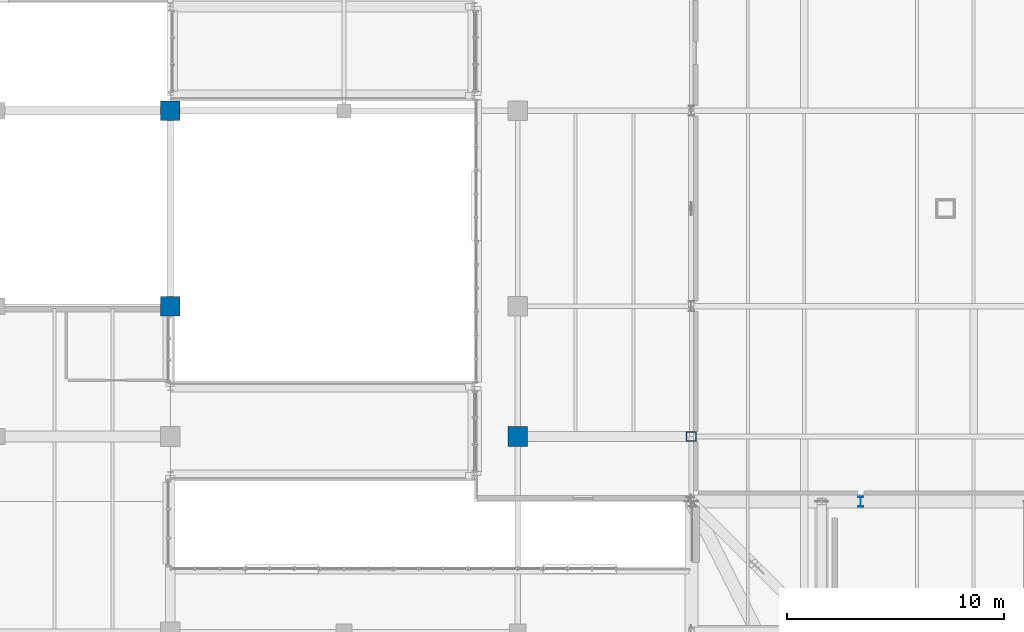
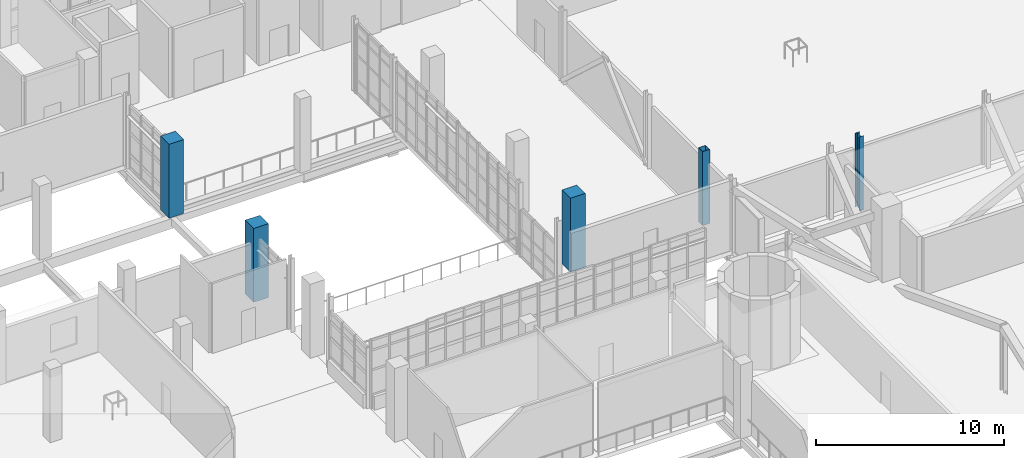
# One storey, part 4 of 127: 5 columns.
"""IFC4 building model written with IfcOpenShell, lengths in metres."""

from ifc_helpers import new_model, si_unit, derived_unit, direction, frame, origin, origin_2d, place, context, subcontext, project, spatial, rectangle, hollow_rectangle, i_section, extrude, material, material_profile, profile_set, type_object, element, save


model = new_model("IFC4")

# Units and contexts
model_context = context("Model", 3, precision=1e-05, world=origin(), true_north=direction((0.0, 1.0)))
body_context = subcontext(model_context, "Body", "Model", "MODEL_VIEW")
ifc_project = project(units=[si_unit("LENGTHUNIT", "METRE"), si_unit("AREAUNIT", "SQUARE_METRE"), si_unit("VOLUMEUNIT", "CUBIC_METRE"), si_unit("PLANEANGLEUNIT", "RADIAN"), si_unit("MASSUNIT", "GRAM", prefix="KILO"), derived_unit("THERMALTRANSMITTANCEUNIT", [(si_unit("POWERUNIT", "WATT"), 1), (si_unit("LENGTHUNIT", "METRE"), -2), (si_unit("THERMODYNAMICTEMPERATUREUNIT", "KELVIN"), -1)])], contexts=[model_context])

# Site, building, storey
site_placement = place(None, origin())
site = spatial("IfcSite", under=ifc_project, at=site_placement, CompositionType="ELEMENT")
building_placement = place(site_placement, origin())
building = spatial("IfcBuilding", under=site, at=building_placement, Name="Nallur Shell Playhouse", CompositionType="ELEMENT")
storey_placement = place(building_placement, frame((0.0, 0.0, 5.39990234375)))
storey = spatial("IfcBuildingStorey", under=building, at=storey_placement, Name="L02", CompositionType="ELEMENT", Elevation=5.39990234375)

# Columns
ifc_material_1 = material(Name="Concrete M40", Category="concrete")
ifc_material_profile_1 = material_profile(ifc_material_1, rectangle(XDim=0.89990234375, YDim=0.89990234375, at=origin_2d()), Name="RC 900x900")
ifc_profile_set_1 = profile_set([ifc_material_profile_1], Name="Concrete M40")
column_type_1 = type_object("IfcColumnType", Name="CL-RC-900", PredefinedType="COLUMN", material=ifc_profile_set_1)
for number, where, z_axis, x_axis, name in (
    (1, (40.0, 56.0, 0.0), (0.0, 0.0, 1.0), (1.0, 0.0, 0.0), "Column 5-G (L02)"),
    (2, (40.0, 65.0, 0.0), (0.0, 0.0, 1.0), (1.0, 0.0, 0.0), "Column 5-H (L02)"),
    (3, (56.0, 50.0, 0.0), (0.0, 0.0, 1.0), (1.0, 0.0, 0.0), "Column 7-F (L02)"),
):
    element("IfcColumn", number, at=place(storey_placement, frame(where, z_axis=z_axis, x_axis=x_axis)), inside=storey, type_object=column_type_1, Name=name, PredefinedType="COLUMN", context=body_context, shape_type="SweptSolid", body=[
        extrude(rectangle(XDim=0.89990234375, YDim=0.89990234375, at=origin_2d()), origin(), (0.0, 0.0, 1.0), 4.800048828125),
    ])
ifc_material_2 = material(Name="Steel E350", Category="steel")
ifc_material_profile_2 = material_profile(ifc_material_2, hollow_rectangle(XDim=0.449951171875, YDim=0.449951171875, WallThickness=0.02001953125, at=origin_2d()), Name="BOX 450x450x20")
ifc_profile_set_2 = profile_set([ifc_material_profile_2], Name="Steel E350")
column_type_2 = type_object("IfcColumnType", Name="CL-ST-BOX450", PredefinedType="COLUMN", material=ifc_profile_set_2)
column_1_placement = place(storey_placement, frame((64.0, 50.0, 0.0), z_axis=(0.0, 0.0, 1.0), x_axis=(1.0, 0.0, 0.0)))
element("IfcColumn", 4, at=column_1_placement, inside=storey, type_object=column_type_2, Name="Column 8-F (L02)", PredefinedType="COLUMN", context=body_context, shape_type="SweptSolid", body=[
    extrude(hollow_rectangle(XDim=0.449951171875, YDim=0.449951171875, WallThickness=0.02001953125, at=origin_2d()), origin(), (0.0, 0.0, 1.0), 4.800048828125),
])
ifc_material_profile_3 = material_profile(ifc_material_2, i_section(OverallWidth=0.25, OverallDepth=0.449951171875, WebThickness=0.01123046875, FlangeThickness=0.013671875, FilletRadius=0.014892578125, at=origin_2d()), Name="ISHB 450")
ifc_profile_set_3 = profile_set([ifc_material_profile_3], Name="Steel E350")
column_type_3 = type_object("IfcColumnType", Name="CL-ST-ISHB450", PredefinedType="COLUMN", material=ifc_profile_set_3)
column_2_placement = place(storey_placement, frame((71.800048828125, 47.0, 0.0), z_axis=(0.0, 0.0, 1.0), x_axis=(1.0, 0.0, 0.0)))
element("IfcColumn", 5, at=column_2_placement, inside=storey, type_object=column_type_3, Name="Column PROSC-2 (L02)", PredefinedType="COLUMN", context=body_context, shape_type="SweptSolid", body=[
    extrude(i_section(OverallWidth=0.25, OverallDepth=0.449951171875, WebThickness=0.01123046875, FlangeThickness=0.013671875, FilletRadius=0.014892578125, at=origin_2d()), origin(), (0.0, 0.0, 1.0), 4.800048828125),
])

save(model, "model.ifc")
